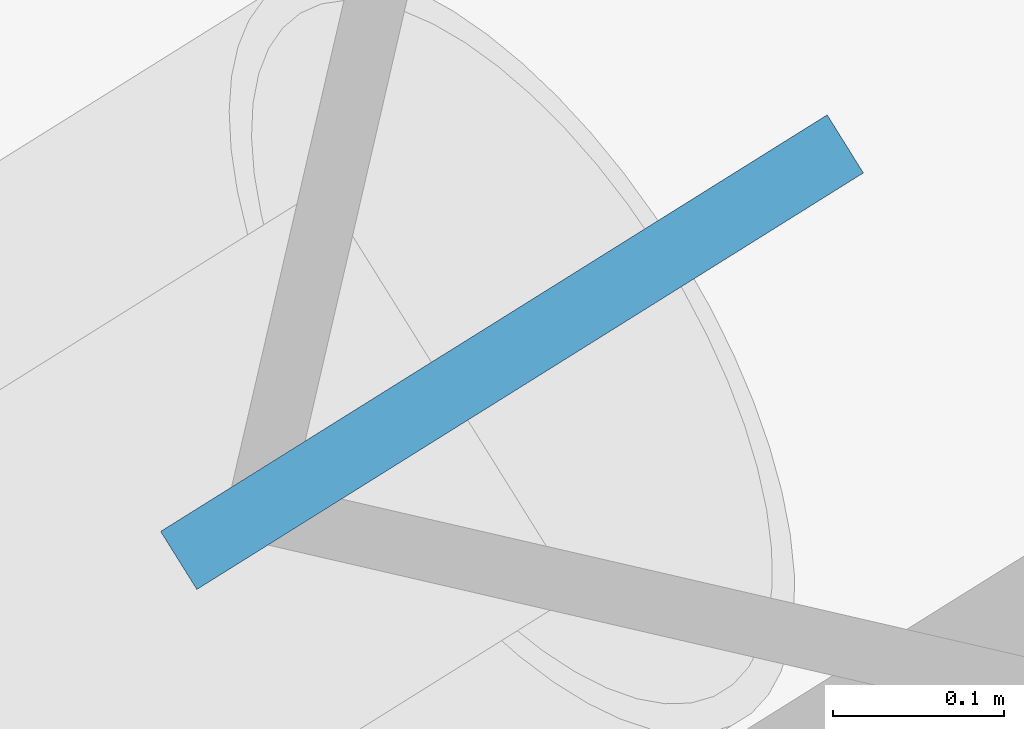
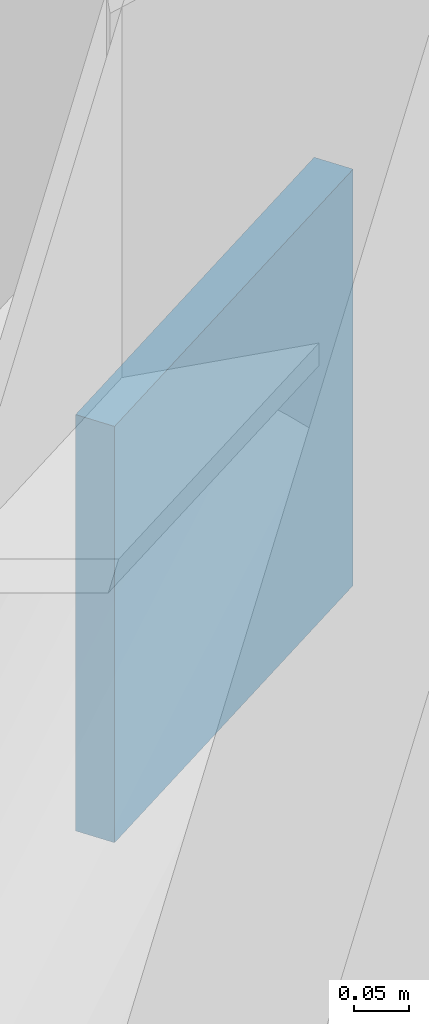
# One storey, part 16 of 19: 1 discrete accessory.
"""IFC4 building model written with IfcOpenShell, lengths in metres."""

from ifc_helpers import new_model, si_unit, direction, frame, origin, origin_2d, place, context, subcontext, project, spatial, rectangle, extrude, material, type_object, element, save


model = new_model("IFC4")

# Units and contexts
model_context = context("Model", 3, precision=1e-05, world=origin(), true_north=direction((0.0, 1.0)))
body_context = subcontext(model_context, "Body", "Model", "MODEL_VIEW")
ifc_project = project(units=[si_unit("LENGTHUNIT", "METRE"), si_unit("AREAUNIT", "SQUARE_METRE"), si_unit("VOLUMEUNIT", "CUBIC_METRE"), si_unit("PLANEANGLEUNIT", "RADIAN"), si_unit("MASSUNIT", "GRAM", prefix="KILO")], contexts=[model_context])

# Site, building, storey
site_placement = place(None, origin())
site = spatial("IfcSite", under=ifc_project, at=site_placement, CompositionType="ELEMENT")
building_placement = place(site_placement, origin())
building = spatial("IfcBuilding", under=site, at=building_placement, Name="Tavrogorsk Clinical Tower", CompositionType="ELEMENT")
storey_placement = place(building_placement, frame((0.0, 0.0, 28.39990234375)))
storey = spatial("IfcBuildingStorey", under=building, at=storey_placement, Name="L05", CompositionType="ELEMENT", Elevation=28.39990234375)

# Discrete accessory
ifc_material = material(Name="Structural steel S440", Category="steel")
discrete_accessory_type = type_object("IfcDiscreteAccessoryType", Name="GussetPlateBracket_25", PredefinedType="BRACKET", material=ifc_material)
discrete_accessory_placement = place(storey_placement, frame((-30.34912109375, 29.963134765625, 3.567626953125), z_axis=(0.0, 0.0, 1.0), x_axis=(0.848048096156, 0.529919264233, 0.0)))
element("IfcDiscreteAccessory", 1, at=discrete_accessory_placement, inside=storey, type_object=discrete_accessory_type, Name="L05 Brace Gusset Plate EXOCRN-L05-3-B", PredefinedType="BRACKET", context=body_context, shape_type="SweptSolid", body=[
    extrude(rectangle(XDim=0.4599609375, YDim=0.0400390625, at=origin_2d()), origin(), (0.0, 0.0, 1.0), 0.4599609375),
])

save(model, "model.ifc")
